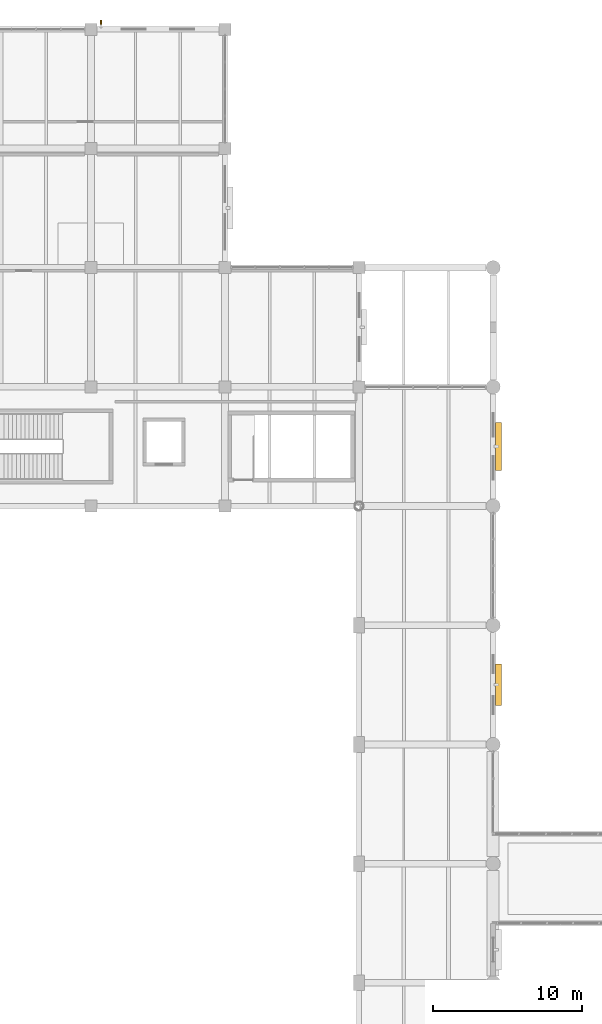
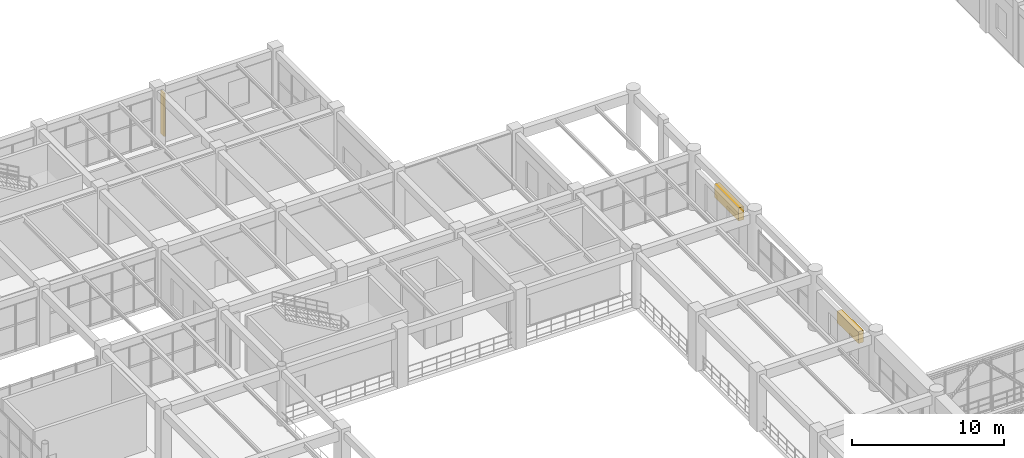
# One storey, part 173 of 178: 3 shading devices.
"""IFC4 building model written with IfcOpenShell, lengths in metres."""

from ifc_helpers import new_model, si_unit, derived_unit, direction, frame, origin, origin_2d, place, context, subcontext, project, spatial, rectangle, extrude, material, type_object, element, save


model = new_model("IFC4")

# Units and contexts
model_context = context("Model", 3, precision=1e-05, world=origin(), true_north=direction((0.0, 1.0)))
body_context = subcontext(model_context, "Body", "Model", "MODEL_VIEW")
ifc_project = project(units=[si_unit("LENGTHUNIT", "METRE"), si_unit("AREAUNIT", "SQUARE_METRE"), si_unit("VOLUMEUNIT", "CUBIC_METRE"), si_unit("PLANEANGLEUNIT", "RADIAN"), si_unit("MASSUNIT", "GRAM", prefix="KILO"), derived_unit("THERMALTRANSMITTANCEUNIT", [(si_unit("MASSUNIT", "GRAM", prefix="KILO"), 1), (si_unit("TIMEUNIT", "SECOND"), -3), (si_unit("THERMODYNAMICTEMPERATUREUNIT", "KELVIN"), -1)])], contexts=[model_context])

# Site, building, storey
site_placement = place(None, origin())
site = spatial("IfcSite", under=ifc_project, at=site_placement, CompositionType="ELEMENT")
building_placement = place(site_placement, origin())
building = spatial("IfcBuilding", under=site, at=building_placement, Name="Zhenchuan Archway Interchange", CompositionType="ELEMENT")
storey_placement = place(building_placement, frame((0.0, 0.0, 5.39990234375)))
storey = spatial("IfcBuildingStorey", under=building, at=storey_placement, Name="L01", CompositionType="ELEMENT", Elevation=5.39990234375)

# Shading devices
ifc_material_1 = material(Name="Terracotta Ceramic", Category="masonry")
shading_device_type_1 = type_object("IfcShadingDeviceType", Name="SHD_FIN_3", PredefinedType="USERDEFINED", material=ifc_material_1)
shading_device_1_placement = place(storey_placement, frame((45.677978515625, 112.39404296875, 0.2001953125), z_axis=(0.0, 0.0, 1.0), x_axis=(1.0, 0.0, 0.0)))
element("IfcShadingDevice", 1, at=shading_device_1_placement, inside=storey, type_object=shading_device_type_1, Name="Terracotta vertical solar fin L01-029", ObjectType="FINS", PredefinedType="USERDEFINED", context=body_context, shape_type="SweptSolid", body=[
    extrude(rectangle(XDim=0.10009765625, YDim=0.4599609375, at=origin_2d()), origin(), (0.0, 0.0, 1.0), 3.4599609375),
])
ifc_material_2 = material(Name="Anodised Aluminium", Category="aluminium")
shading_device_type_2 = type_object("IfcShadingDeviceType", Name="SHD_LOUVRE_1", PredefinedType="JALOUSIE", material=ifc_material_2)
shading_device_2_placement = place(storey_placement, frame((72.35400390625, 68.0, 1.875), z_axis=(0.0, 0.0, 1.0), x_axis=(0.0, -1.0, 0.0)))
element("IfcShadingDevice", 2, at=shading_device_2_placement, inside=storey, type_object=shading_device_type_2, Name="Monsoon storm-louvre jalousie L01-033", PredefinedType="JALOUSIE", context=body_context, shape_type="SweptSolid", body=[
    extrude(rectangle(XDim=2.800048828125, YDim=0.3798828125, at=origin_2d()), origin(), (0.0, 0.0, 1.0), 0.949951171875),
])
shading_device_type_3 = type_object("IfcShadingDeviceType", Name="SHD_LOUVRE_3", PredefinedType="JALOUSIE", material=ifc_material_2)
shading_device_3_placement = place(storey_placement, frame((72.364013671875, 84.0, 2.16015625), z_axis=(0.0, 0.0, 1.0), x_axis=(0.0, -1.0, 0.0)))
element("IfcShadingDevice", 3, at=shading_device_3_placement, inside=storey, type_object=shading_device_type_3, Name="Monsoon storm-louvre jalousie L01-032", PredefinedType="JALOUSIE", context=body_context, shape_type="SweptSolid", body=[
    extrude(rectangle(XDim=3.199951171875, YDim=0.39990234375, at=origin_2d()), origin(), (0.0, 0.0, 1.0), 1.050048828125),
])

save(model, "model.ifc")
